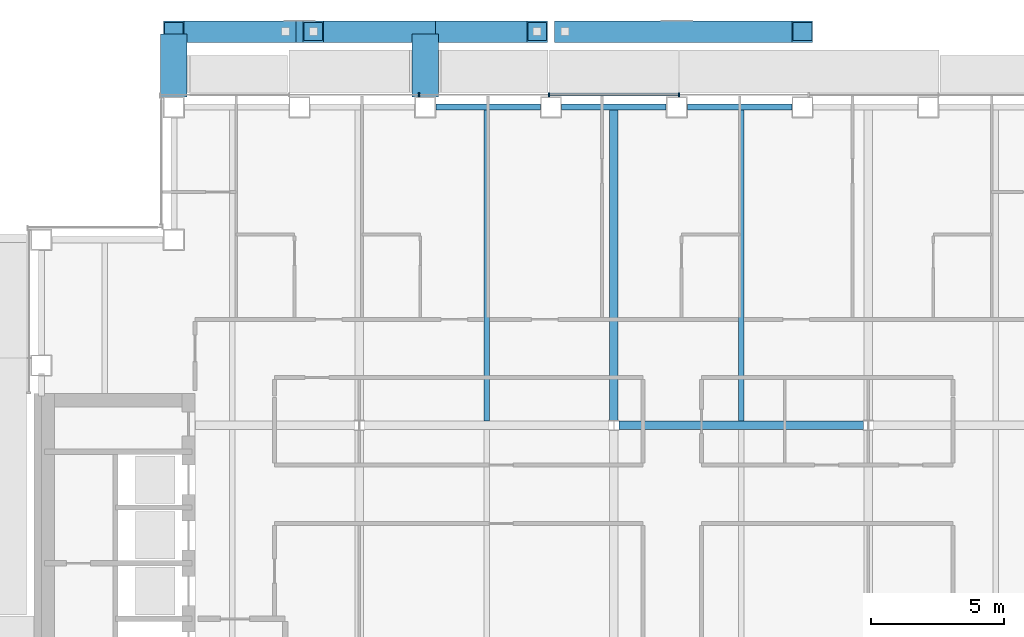
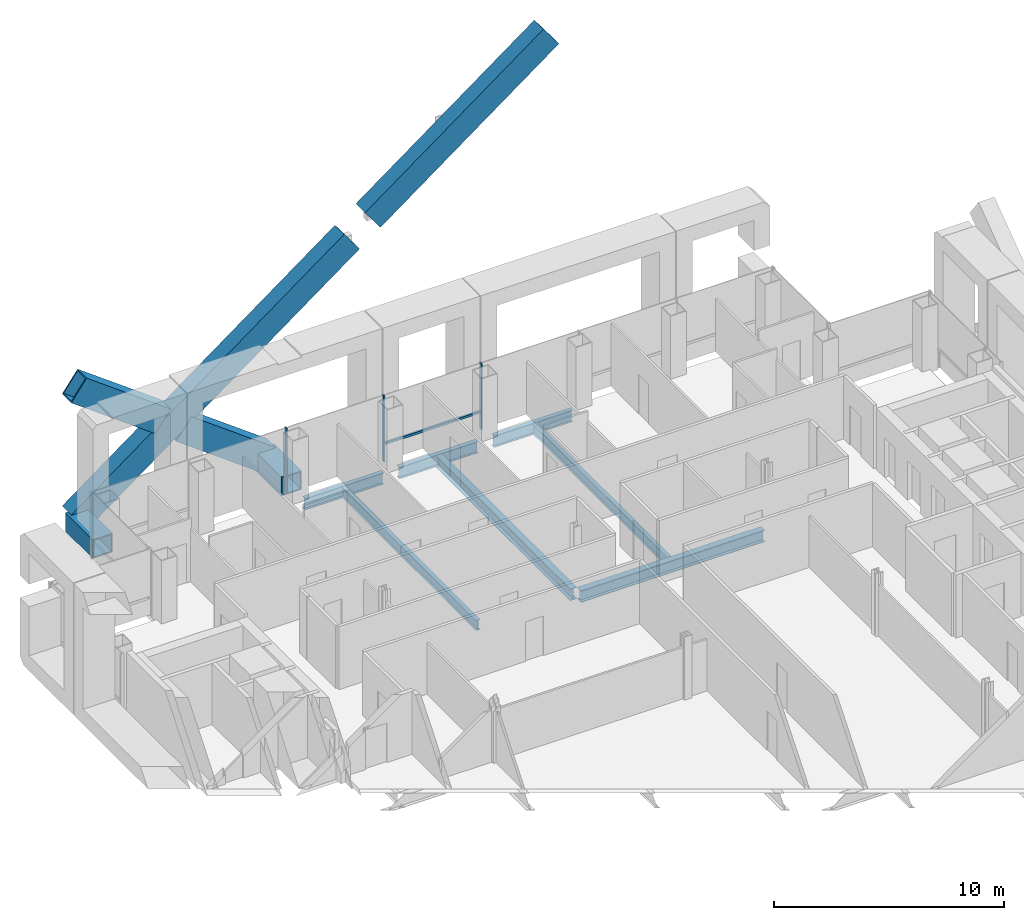
# One storey, part 9 of 22: 9 beams, 8 members, 1 element without a shape of its own.
"""IFC4 building model written with IfcOpenShell, lengths in metres."""

from ifc_helpers import new_model, si_unit, direction, frame, origin, origin_2d, place, context, subcontext, project, spatial, rectangle, hollow_rectangle, i_section, extrude, material, material_profile, profile_set, type_object, element, aggregate, save


model = new_model("IFC4")

# Units and contexts
model_context = context("Model", 3, precision=1e-05, world=origin(), true_north=direction((0.0, 1.0)))
body_context = subcontext(model_context, "Body", "Model", "MODEL_VIEW")
ifc_project = project(units=[si_unit("LENGTHUNIT", "METRE"), si_unit("AREAUNIT", "SQUARE_METRE"), si_unit("VOLUMEUNIT", "CUBIC_METRE"), si_unit("PLANEANGLEUNIT", "RADIAN"), si_unit("MASSUNIT", "GRAM", prefix="KILO")], contexts=[model_context])

# Site, building, storey
site_placement = place(None, origin())
site = spatial("IfcSite", under=ifc_project, at=site_placement, CompositionType="ELEMENT")
building_placement = place(site_placement, origin())
building = spatial("IfcBuilding", under=site, at=building_placement, Name="Cobrizo Arcos Hotel Tower", CompositionType="ELEMENT")
storey_placement = place(building_placement, frame((0.0, 0.0, 169.0)))
storey = spatial("IfcBuildingStorey", under=building, at=storey_placement, Name="L43", CompositionType="ELEMENT", Elevation=169.0)

# Beams
ifc_material_1 = material(Name="Steel ASTM A572 Grade 50", Category="steel")
ifc_material_profile_1 = material_profile(ifc_material_1, hollow_rectangle(XDim=1.0, YDim=1.0, WallThickness=0.06005859375, at=origin_2d()), Name="BOX 1000X1000X60")
ifc_profile_set_1 = profile_set([ifc_material_profile_1], Name="Steel ASTM A572 Grade 50")
beam_type_1 = type_object("IfcBeamType", Name="BOX 1000X1000X60 brace connector strut", PredefinedType="BEAM", material=ifc_profile_set_1)
for number, where, z_axis, x_axis, name in (
    (1, (-7.1142578125, 21.989990234375, 0.5), (0.0, 1.0, 0.0), (-1.0, 0.0, 0.0), "Perimeter brace stub BS1, zone Z3, north face, offset -7.11 m, L43"),
    (2, (-16.60009765625, 21.989990234375, 0.5), (0.0, 1.0, 0.0), (-1.0, 0.0, 0.0), "Perimeter brace stub BS1, zone Z3, north face, offset -16.60 m, L43"),
):
    element("IfcBeam", number, at=place(storey_placement, frame(where, z_axis=z_axis, x_axis=x_axis)), inside=storey, type_object=beam_type_1, Name=name, PredefinedType="BEAM", context=body_context, shape_type="SweptSolid", body=[
        extrude(hollow_rectangle(XDim=1.0, YDim=1.0, WallThickness=0.06005859375, at=origin_2d()), origin(), (0.0, 0.0, 1.0), 2.380126953125),
    ])

# Members
ifc_material_profile_2 = material_profile(ifc_material_1, hollow_rectangle(XDim=0.800048828125, YDim=1.300048828125, WallThickness=0.06005859375, at=origin_2d()), Name="BOX 800X1300X60")
ifc_profile_set_2 = profile_set([ifc_material_profile_2], Name="Steel ASTM A572 Grade 50")
member_type_1 = type_object("IfcMemberType", Name="BOX 800X1300X60 perimeter brace", PredefinedType="BRACE", material=ifc_profile_set_2)
for number, where, z_axis, x_axis, name in (
    (3, (-7.1142578125, 24.449951171875, 0.5), (-0.804623858684, 0.0, 0.593784848271), (0.0, -1.0, 0.0), "Perimeter brace PBR3, zone Z3, north face, no. 12"),
    (4, (-12.38037109375, 24.449951171875, 4.385986328125), (-0.804623858684, 0.0, 0.593784848271), (0.0, -1.0, 0.0), "Perimeter brace PBR3, zone Z3, north face, no. 12b"),
):
    element("IfcMember", number, at=place(storey_placement, frame(where, z_axis=z_axis, x_axis=x_axis)), inside=storey, type_object=member_type_1, Name=name, PredefinedType="BRACE", context=body_context, shape_type="SweptSolid", body=[
        extrude(hollow_rectangle(XDim=0.800048828125, YDim=1.300048828125, WallThickness=0.06005859375, at=origin_2d()), origin(), (0.0, 0.0, 1.0), 5.244384765625),
    ])
member_1_placement = place(storey_placement, frame((-16.60009765625, 24.449951171875, 0.5), z_axis=(0.804630166974, 0.0, 0.593776299961), x_axis=(0.0, 1.0, 0.0)))
element("IfcMember", 5, at=member_1_placement, inside=storey, type_object=member_type_1, Name="Perimeter brace PBR3, zone Z3, north face, no. 13", PredefinedType="BRACE", context=body_context, shape_type="SweptSolid", body=[
    extrude(hollow_rectangle(XDim=0.800048828125, YDim=1.300048828125, WallThickness=0.06005859375, at=origin_2d()), origin(), (0.0, 0.0, 1.0), 17.033447265625),
])
member_2_placement = place(storey_placement, frame((-1.84814453125, 24.449951171875, 11.385986328125), z_axis=(0.804620954099, 0.0, 0.593788784186), x_axis=(0.0, 1.0, 0.0)))
element("IfcMember", 6, at=member_2_placement, inside=storey, type_object=member_type_1, Name="Perimeter brace PBR3, zone Z3, north face, no. 13b", PredefinedType="BRACE", context=body_context, shape_type="SweptSolid", body=[
    extrude(hollow_rectangle(XDim=0.800048828125, YDim=1.300048828125, WallThickness=0.06005859375, at=origin_2d()), origin(), (0.0, 0.0, 1.0), 11.138671875),
])

# Curtain wall, members
ifc_material_2 = material(Name="Aluminium 6063-T6 anodised bronze", Category="aluminium")
curtain_wall_type = type_object("IfcCurtainWallType", Name="CW-A guest facade", PredefinedType="NOTDEFINED", material=ifc_material_2)
curtain_wall_placement = place(storey_placement, origin())
curtain_wall = element("IfcCurtainWall", 7, at=curtain_wall_placement, inside=storey, type_object=curtain_wall_type, Name="CW-A L43 N face", PredefinedType="NOTDEFINED")
ifc_material_profile_3 = material_profile(ifc_material_2, rectangle(XDim=0.14990234375, YDim=0.06005859375, at=origin_2d()), Name="CW-A mullion 150x60")
ifc_profile_set_3 = profile_set([ifc_material_profile_3], Name="Aluminium 6063-T6 anodised bronze")
member_type_2 = type_object("IfcMemberType", Name="CW-A mullion 150x60", PredefinedType="MULLION", material=ifc_profile_set_3)
member_3_placement = place(storey_placement, frame((2.449951171875, 22.074951171875, 0.0), z_axis=(0.0, 0.0, 1.0), x_axis=(0.0, 1.0, 0.0)))
member_3 = element("IfcMember", 8, at=member_3_placement, type_object=member_type_2, Name="CW-A mullion 4", PredefinedType="MULLION", context=body_context, shape_type="SweptSolid", body=[
    extrude(rectangle(XDim=0.14990234375, YDim=0.06005859375, at=origin_2d()), origin(), (0.0, 0.0, 1.0), 3.5),
])
member_4_placement = place(storey_placement, frame((-2.449951171875, 22.074951171875, 0.0), z_axis=(0.0, 0.0, 1.0), x_axis=(0.0, 1.0, 0.0)))
member_4 = element("IfcMember", 9, at=member_4_placement, type_object=member_type_2, Name="CW-A mullion 5", PredefinedType="MULLION", context=body_context, shape_type="SweptSolid", body=[
    extrude(rectangle(XDim=0.14990234375, YDim=0.06005859375, at=origin_2d()), origin(), (0.0, 0.0, 1.0), 3.5),
])
member_5_placement = place(storey_placement, frame((-7.35009765625, 22.074951171875, 0.0), z_axis=(0.0, 0.0, 1.0), x_axis=(0.0, 1.0, 0.0)))
member_5 = element("IfcMember", 10, at=member_5_placement, type_object=member_type_2, Name="CW-A mullion 6", PredefinedType="MULLION", context=body_context, shape_type="SweptSolid", body=[
    extrude(rectangle(XDim=0.14990234375, YDim=0.06005859375, at=origin_2d()), origin(), (0.0, 0.0, 1.0), 3.5),
])
ifc_material_profile_4 = material_profile(ifc_material_2, rectangle(XDim=0.10009765625, YDim=0.1201171875, at=origin_2d()), Name="CW-A transom 120x100")
ifc_profile_set_4 = profile_set([ifc_material_profile_4], Name="Aluminium 6063-T6 anodised bronze")
member_type_3 = type_object("IfcMemberType", Name="CW-A transom 120x100", PredefinedType="USERDEFINED", material=ifc_profile_set_4)
member_6_placement = place(storey_placement, frame((2.419921875, 22.074951171875, 0.929931640625), z_axis=(-1.0, 0.0, 0.0), x_axis=(0.0, -1.0, 0.0)))
member_6 = element("IfcMember", 11, at=member_6_placement, type_object=member_type_3, Name="CW-A transom 1534", ObjectType="TRANSOM", PredefinedType="USERDEFINED", context=body_context, shape_type="SweptSolid", body=[
    extrude(rectangle(XDim=0.10009765625, YDim=0.1201171875, at=origin_2d()), origin(), (0.0, 0.0, 1.0), 4.83984375),
])
aggregate(curtain_wall, [member_3, member_4, member_5, member_6])

# Beams
ifc_material_3 = material(Name="Steel ASTM A992 Grade 50", Category="steel")
ifc_material_profile_5 = material_profile(ifc_material_3, i_section(OverallWidth=0.209228515625, OverallDepth=0.533447265625, WebThickness=0.01025390625, FlangeThickness=0.015625, at=origin_2d()), Name="W21X62")
ifc_profile_set_5 = profile_set([ifc_material_profile_5], Name="Steel ASTM A992 Grade 50")
beam_type_2 = type_object("IfcBeamType", Name="W21X62 joist", PredefinedType="JOIST", material=ifc_profile_set_5)
for number, where, z_axis, x_axis, name in (
    (12, (-4.800048828125, 9.763916015625, -0.416748046875), (0.0, 1.0, 0.0), (-1.0, 0.0, 0.0), "Floor joist J1, L43, no. 010"),
    (13, (4.800048828125, 9.763916015625, -0.416748046875), (0.0, 1.0, 0.0), (-1.0, 0.0, 0.0), "Floor joist J1, L43, no. 014"),
):
    element("IfcBeam", number, at=place(storey_placement, frame(where, z_axis=z_axis, x_axis=x_axis)), inside=storey, type_object=beam_type_2, Name=name, PredefinedType="JOIST", context=body_context, shape_type="SweptSolid", body=[
        extrude(i_section(OverallWidth=0.209228515625, OverallDepth=0.533447265625, WebThickness=0.01025390625, FlangeThickness=0.015625, at=origin_2d()), origin(), (0.0, 0.0, 1.0), 11.74609375),
    ])
ifc_material_profile_6 = material_profile(ifc_material_3, i_section(OverallWidth=0.32763671875, OverallDepth=0.622314453125, WebThickness=0.015380859375, FlangeThickness=0.0244140625, at=origin_2d()), Name="W24X131")
ifc_profile_set_6 = profile_set([ifc_material_profile_6], Name="Steel ASTM A992 Grade 50")
beam_type_3 = type_object("IfcBeamType", Name="W24X131 girder", PredefinedType="BEAM", material=ifc_profile_set_6)
beam_1_placement = place(storey_placement, frame((0.186767578125, 9.60009765625, -0.461181640625), z_axis=(1.0, 0.0, 0.0), x_axis=(0.0, 1.0, 0.0)))
element("IfcBeam", 14, at=beam_1_placement, inside=storey, type_object=beam_type_3, Name="Floor girder G1, L43, no. 011", PredefinedType="BEAM", context=body_context, shape_type="SweptSolid", body=[
    extrude(i_section(OverallWidth=0.32763671875, OverallDepth=0.622314453125, WebThickness=0.015380859375, FlangeThickness=0.0244140625, at=origin_2d()), origin(), (0.0, 0.0, 1.0), 9.2265625),
])
beam_2_placement = place(storey_placement, frame((0.0, 9.78662109375, -0.461181640625), z_axis=(0.0, 1.0, 0.0), x_axis=(-1.0, 0.0, 0.0)))
element("IfcBeam", 15, at=beam_2_placement, inside=storey, type_object=beam_type_3, Name="Floor girder G1, L43, no. 020", PredefinedType="BEAM", context=body_context, shape_type="SweptSolid", body=[
    extrude(i_section(OverallWidth=0.32763671875, OverallDepth=0.622314453125, WebThickness=0.015380859375, FlangeThickness=0.0244140625, at=origin_2d()), origin(), (0.0, 0.0, 1.0), 11.723388671875),
])
ifc_material_profile_7 = material_profile(ifc_material_3, i_section(OverallWidth=0.228271484375, OverallDepth=0.607177734375, WebThickness=0.01123046875, FlangeThickness=0.017333984375, at=origin_2d()), Name="W24X76")
ifc_profile_set_7 = profile_set([ifc_material_profile_7], Name="Steel ASTM A992 Grade 50")
beam_type_4 = type_object("IfcBeamType", Name="W24X76 spandrel", PredefinedType="SPANDREL", material=ifc_profile_set_7)
beam_3_placement = place(storey_placement, frame((6.714111328125, 21.60009765625, -0.45361328125), z_axis=(-1.0, 0.0, 0.0), x_axis=(0.0, -1.0, 0.0)))
element("IfcBeam", 16, at=beam_3_placement, inside=storey, type_object=beam_type_4, Name="Spandrel beam W24X76, L43, no. 018", PredefinedType="SPANDREL", context=body_context, shape_type="SweptSolid", body=[
    extrude(i_section(OverallWidth=0.228271484375, OverallDepth=0.607177734375, WebThickness=0.01123046875, FlangeThickness=0.017333984375, at=origin_2d()), origin(), (0.0, 0.0, 1.0), 3.943115234375),
])
beam_4_placement = place(storey_placement, frame((1.970947265625, 21.60009765625, -0.45361328125), z_axis=(-1.0, 0.0, 0.0), x_axis=(0.0, -1.0, 0.0)))
element("IfcBeam", 17, at=beam_4_placement, inside=storey, type_object=beam_type_4, Name="Spandrel beam W24X76, L43, no. 019", PredefinedType="SPANDREL", context=body_context, shape_type="SweptSolid", body=[
    extrude(i_section(OverallWidth=0.228271484375, OverallDepth=0.607177734375, WebThickness=0.01123046875, FlangeThickness=0.017333984375, at=origin_2d()), origin(), (0.0, 0.0, 1.0), 3.94189453125),
])
beam_5_placement = place(storey_placement, frame((-2.77099609375, 21.60009765625, -0.45361328125), z_axis=(-1.0, 0.0, 0.0), x_axis=(0.0, -1.0, 0.0)))
element("IfcBeam", 18, at=beam_5_placement, inside=storey, type_object=beam_type_4, Name="Spandrel beam W24X76, L43, no. 020", PredefinedType="SPANDREL", context=body_context, shape_type="SweptSolid", body=[
    extrude(i_section(OverallWidth=0.228271484375, OverallDepth=0.607177734375, WebThickness=0.01123046875, FlangeThickness=0.017333984375, at=origin_2d()), origin(), (0.0, 0.0, 1.0), 3.943115234375),
])

save(model, "model.ifc")
